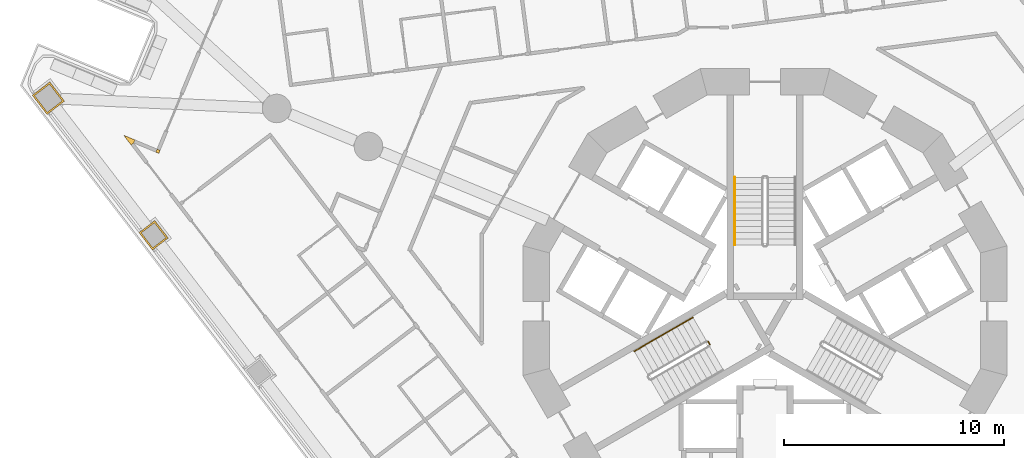
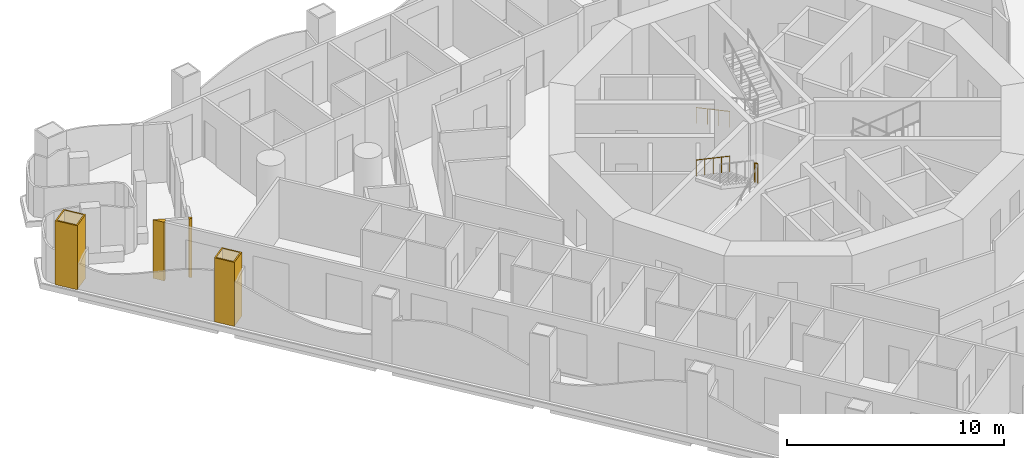
# One storey, part 15 of 19: 4 coverings, 4 railings.
"""IFC4 building model written with IfcOpenShell, lengths in metres."""

import ifcopenshell
import ifcopenshell.guid

model = None  # the IFC model being written
_history = None  # IfcOwnerHistory: only IFC2X3 demands one
_inside = {}  # id of a spatial element -> (the spatial element, [elements in it])
_under = {}  # id of a project, library or spatial element -> (it, [spatial elements below it])
_declared = {}  # id of a project -> (the project, [libraries it declares])
_typed = {}  # id of a type object -> (the type object, [elements of that type])
_made_of = {}  # id of a material, layer set ... -> (it, [elements and type objects made of it])


def new_model(schema):
    """Start an empty IFC model of exactly this schema.

    Asked for "IFC4X3", IfcOpenShell would pick the latest addendum, in which some entities
    have other attributes; the version numbers below select the first issue.
    IFC2X3 requires an IfcOwnerHistory on every rooted entity: one is made here for all.
    """
    global model, _history
    if schema == "IFC4X3":
        model = ifcopenshell.file(schema_version=(4, 3, 0, 0))
    else:
        model = ifcopenshell.file(schema=schema)
    _inside.clear()
    _under.clear()
    _declared.clear()
    _typed.clear()
    _made_of.clear()
    _history = None
    if model.schema == "IFC2X3":
        org = make("IfcOrganization", Name="unknown")
        user = make(
            "IfcPersonAndOrganization",
            ThePerson=make("IfcPerson", FamilyName="unknown"),
            TheOrganization=org,
        )
        app = make(
            "IfcApplication",
            ApplicationDeveloper=org,
            Version="unknown",
            ApplicationFullName="unknown",
            ApplicationIdentifier="unknown",
        )
        _history = make(
            "IfcOwnerHistory",
            OwningUser=user,
            OwningApplication=app,
            ChangeAction="ADDED",
            CreationDate=0,
        )
    return model


def make(cls, **values):
    """One entity of the class cls with the attributes given. An attribute that is None is left unset."""
    return model.create_entity(
        cls, **{name: value for name, value in values.items() if value is not None}
    )


def rooted(cls, **values):
    """An entity with a GlobalId (a new one), such as an element, a storey or a relation."""
    return make(cls, GlobalId=ifcopenshell.guid.new(), OwnerHistory=_history, **values)


def si_unit(unit_type, name, prefix=None):
    """IfcSIUnit, for example si_unit("LENGTHUNIT", "METRE", prefix="MILLI")."""
    return make("IfcSIUnit", UnitType=unit_type, Prefix=prefix, Name=name)


def assignment(units):
    """IfcUnitAssignment: the units of a project."""
    return None if units is None else make("IfcUnitAssignment", Units=units)


def point(xyz):
    """IfcCartesianPoint."""
    return None if xyz is None else make("IfcCartesianPoint", Coordinates=xyz)


def direction(xyz):
    """IfcDirection."""
    return None if xyz is None else make("IfcDirection", DirectionRatios=xyz)


def frame(location, z_axis=None, x_axis=None):
    """IfcAxis2Placement3D, a coordinate frame: its origin and axes. An axis left out is left unset."""
    return make(
        "IfcAxis2Placement3D",
        Location=point(location),
        Axis=direction(z_axis),
        RefDirection=direction(x_axis),
    )


def frame_2d(location, x_axis=None):
    """IfcAxis2Placement2D, a coordinate frame in the plane: its origin and x axis."""
    return make(
        "IfcAxis2Placement2D", Location=point(location), RefDirection=direction(x_axis)
    )


def origin():
    """The frame at (0, 0, 0) with its axes left unset."""
    return frame((0.0, 0.0, 0.0))


def origin_2d():
    """The frame at (0, 0) in the plane with its x axis left unset."""
    return frame_2d((0.0, 0.0))


def place(relative_to, where):
    """IfcLocalPlacement: puts the frame where relative to a parent placement (None: the world)."""
    return make(
        "IfcLocalPlacement", PlacementRelTo=relative_to, RelativePlacement=where
    )


def context(
    kind, dimensions, precision=None, world=None, true_north=None, identifier=None
):
    """IfcGeometricRepresentationContext, for example the 3D "Model" context."""
    return make(
        "IfcGeometricRepresentationContext",
        ContextIdentifier=identifier,
        ContextType=kind,
        CoordinateSpaceDimension=dimensions,
        Precision=precision,
        WorldCoordinateSystem=world,
        TrueNorth=true_north,
    )


def subcontext(parent, identifier, kind, view, scale=None):
    """IfcGeometricRepresentationSubContext, for example "Body" below "Model"."""
    return make(
        "IfcGeometricRepresentationSubContext",
        ContextIdentifier=identifier,
        ContextType=kind,
        ParentContext=parent,
        TargetScale=scale,
        TargetView=view,
    )


def project(units=None, contexts=None):
    """IfcProject with its units and contexts."""
    return rooted(
        "IfcProject",
        Name="project",
        RepresentationContexts=contexts,
        UnitsInContext=assignment(units),
    )


def spatial(cls, under=None, at=None, **own):
    """A site, building, storey or space (cls), placed at a placement, below another one or the project."""
    s = rooted(cls, ObjectPlacement=at, **own)
    if under is not None:
        _under.setdefault(under.id(), (under, []))[1].append(s)
    return s


def polyline(points):
    """IfcPolyline through the points."""
    return make("IfcPolyline", Points=[point(p) for p in points])


def profile(cls, at=None, kind="AREA", **sizes):
    """A parametric profile (cls). Its sizes go by their IFC names, for example OverallWidth=200.0."""
    return make(cls, ProfileType=kind, Position=at, **sizes)


def circle(**sizes):
    """IfcCircleProfileDef."""
    return profile("IfcCircleProfileDef", **sizes)


def outline(outer, holes=None, kind="AREA"):
    """IfcArbitraryClosedProfileDef: a profile drawn as a closed curve; with holes, ...WithVoids."""
    if holes is None:
        return make("IfcArbitraryClosedProfileDef", ProfileType=kind, OuterCurve=outer)
    return make(
        "IfcArbitraryProfileDefWithVoids",
        ProfileType=kind,
        OuterCurve=outer,
        InnerCurves=holes,
    )


def extrude(swept, where, along, depth):
    """IfcExtrudedAreaSolid: the profile swept, set in the frame where, extruded along a direction by depth."""
    return make(
        "IfcExtrudedAreaSolid",
        SweptArea=swept,
        Position=where,
        ExtrudedDirection=direction(along),
        Depth=depth,
    )


def shape(context_of_items, identifier, shape_type, items):
    """IfcShapeRepresentation: the items that make up one representation, for example the "Body"."""
    return make(
        "IfcShapeRepresentation",
        ContextOfItems=context_of_items,
        RepresentationIdentifier=identifier,
        RepresentationType=shape_type,
        Items=items,
    )


def material(Name=None, Category=None):
    """IfcMaterial."""
    return make("IfcMaterial", Name=Name, Category=Category)


def layer(
    of_material, thickness, ventilated=None, Name=None, Category=None, Priority=None
):
    """IfcMaterialLayer: one layer of a wall or slab, of a material (None: an air gap)."""
    return make(
        "IfcMaterialLayer",
        Material=of_material,
        LayerThickness=thickness,
        IsVentilated=ventilated,
        Name=Name,
        Category=Category,
        Priority=Priority,
    )


def layer_set(layers, Name=None):
    """IfcMaterialLayerSet."""
    return make("IfcMaterialLayerSet", MaterialLayers=layers, LayerSetName=Name)


def made_of(thing, what):
    """Note that an element or type object is made of a material, layer set ...; save() writes the relation."""
    if what is not None:
        _made_of.setdefault(what.id(), (what, []))[1].append(thing)
    return thing


def type_object(cls, material=None, **own):
    """A type object (cls), such as IfcWallType, which elements share."""
    return made_of(rooted(cls, **own), material)


def element(
    cls,
    number,
    at=None,
    inside=None,
    cuts=None,
    type_object=None,
    material=None,
    context=None,
    identifier="Body",
    shape_type=None,
    held_by="IfcProductDefinitionShape",
    body=None,
    shapes=None,
    **own,
):
    """One element of the class cls, such as IfcWall. Its Tag is "e" and its number.

    at: its placement. inside: the storey or other place that contains it. cuts: it is an
    opening in that element (IfcRelVoidsElement). A single representation is given by context,
    identifier, shape_type and body (its items); several are given by shapes. held_by: the class
    of the entity that holds the representations. save() writes the other relations.
    """
    e = rooted(cls, Tag="e%d" % number, ObjectPlacement=at, **own)
    if body is not None:
        shapes = [shape(context, identifier, shape_type, body)]
    if shapes is not None:
        e.Representation = make(held_by, Representations=shapes)
    if inside is not None:
        _inside.setdefault(inside.id(), (inside, []))[1].append(e)
    if cuts is not None:
        rooted(
            "IfcRelVoidsElement", RelatingBuildingElement=cuts, RelatedOpeningElement=e
        )
    if type_object is not None:
        _typed.setdefault(type_object.id(), (type_object, []))[1].append(e)
    return made_of(e, material)


def aggregate(whole, parts):
    """IfcRelAggregates: a whole, such as a stair, and the parts it consists of."""
    return rooted("IfcRelAggregates", RelatingObject=whole, RelatedObjects=parts)


def save(model, path):
    """Write the relations noted so far, then the file.

    IfcRelAggregates (storeys below a building ...), IfcRelContainedInSpatialStructure (elements
    in a storey), IfcRelDefinesByType, IfcRelAssociatesMaterial and IfcRelDeclares: one each for
    every whole, place, type object, material and project.
    """
    for whole, parts in _under.values():
        aggregate(whole, parts)
    for where, things in _inside.values():
        rooted(
            "IfcRelContainedInSpatialStructure",
            RelatedElements=things,
            RelatingStructure=where,
        )
    for kind, things in _typed.values():
        rooted("IfcRelDefinesByType", RelatedObjects=things, RelatingType=kind)
    for what, things in _made_of.values():
        rooted("IfcRelAssociatesMaterial", RelatedObjects=things, RelatingMaterial=what)
    for by, libraries in _declared.values():
        rooted("IfcRelDeclares", RelatingContext=by, RelatedDefinitions=libraries)
    model.write(path)


model = new_model("IFC4")

# Units and contexts
model_context = context("Model", 3, precision=1e-05, world=origin(), true_north=direction((0.0, 1.0)))
body_context = subcontext(model_context, "Body", "Model", "MODEL_VIEW")
ifc_project = project(units=[si_unit("LENGTHUNIT", "METRE"), si_unit("AREAUNIT", "SQUARE_METRE"), si_unit("VOLUMEUNIT", "CUBIC_METRE"), si_unit("PLANEANGLEUNIT", "RADIAN"), si_unit("MASSUNIT", "GRAM", prefix="KILO")], contexts=[model_context])

# Site, building, storey
site_placement = place(None, origin())
site = spatial("IfcSite", under=ifc_project, at=site_placement, CompositionType="ELEMENT")
building_placement = place(site_placement, origin())
building = spatial("IfcBuilding", under=site, at=building_placement, Name="Trine Commons Tower", CompositionType="ELEMENT")
storey_placement = place(building_placement, frame((0.0, 0.0, 57.60009765625)))
storey = spatial("IfcBuildingStorey", under=building, at=storey_placement, Name="L13", CompositionType="ELEMENT", Elevation=57.60009765625)

# Coverings
ifc_material_1 = material(Name="Aluminium-framed insulated wall panel", Category="aluminium")
ifc_layer_1 = layer(ifc_material_1, 0.14990234375)
ifc_layer_set_1 = layer_set([ifc_layer_1], Name="Aluminium-framed insulated wall panel")
covering_type_1 = type_object("IfcCoveringType", Name="Glazing corner post, aluminium", PredefinedType="CLADDING", material=ifc_layer_set_1)
covering_1_placement = place(storey_placement, origin())
element("IfcCovering", 1, at=covering_1_placement, inside=storey, type_object=covering_type_1, Name="Glazing corner post 2-01", PredefinedType="CLADDING", context=body_context, shape_type="SweptSolid", body=[
    extrude(outline(polyline([(51.165771484375, 70.038330078125), (51.28466796875, 70.129638671875), (51.342041015625, 70.268310546875), (50.824951171875, 70.482421875), (51.165771484375, 70.038330078125)])), origin(), (0.0, 0.0, 1.0), 3.2998046875),
])
covering_2_placement = place(storey_placement, origin())
element("IfcCovering", 2, at=covering_2_placement, inside=storey, type_object=covering_type_1, Name="Glazing corner post 2-02", PredefinedType="CLADDING", context=body_context, shape_type="SweptSolid", body=[
    extrude(outline(polyline([(52.28759765625, 69.714111328125), (52.42626953125, 69.65673828125), (52.483642578125, 69.79541015625), (52.34521484375, 69.852783203125), (52.28759765625, 69.714111328125)])), origin(), (0.0, 0.0, 1.0), 3.2998046875),
])
ifc_material_2 = material(Name="Limestone, honed", Category="masonry")
ifc_layer_2 = layer(ifc_material_2, 0.074951171875)
ifc_layer_set_2 = layer_set([ifc_layer_2], Name="Limestone, honed")
covering_type_2 = type_object("IfcCoveringType", Name="Limestone column cladding 75", PredefinedType="CLADDING", material=ifc_layer_set_2)
covering_3_placement = place(storey_placement, origin())
element("IfcCovering", 3, at=covering_3_placement, inside=storey, type_object=covering_type_2, Name="Limestone pier cladding 2-07", PredefinedType="CLADDING", context=body_context, shape_type="SweptSolid", body=[
    extrude(outline(polyline([(52.240966796875, 66.599853515625), (51.527099609375, 66.052001953125), (52.1357421875, 65.2587890625), (52.849853515625, 65.806640625), (52.240966796875, 66.599853515625)]), holes=[polyline([(52.227294921875, 66.494873046875), (51.632080078125, 66.0380859375), (52.149658203125, 65.36376953125), (52.74462890625, 65.8203125), (52.227294921875, 66.494873046875)])]), origin(), (0.0, 0.0, 1.0), 3.599853515625),
])
covering_4_placement = place(storey_placement, origin())
element("IfcCovering", 4, at=covering_4_placement, inside=storey, type_object=covering_type_2, Name="Limestone pier cladding 2-08", PredefinedType="CLADDING", context=body_context, shape_type="SweptSolid", body=[
    extrude(outline(polyline([(47.465087890625, 72.90625), (46.671630859375, 72.297607421875), (47.34130859375, 71.4248046875), (48.134765625, 72.033447265625), (47.465087890625, 72.90625)]), holes=[polyline([(47.451171875, 72.801025390625), (46.77685546875, 72.28369140625), (47.355224609375, 71.52978515625), (48.029541015625, 72.04736328125), (47.451171875, 72.801025390625)])]), origin(), (0.0, 0.0, 1.0), 3.599853515625),
])

# Railings
ifc_material_3 = material(Name="Stainless steel balustrade", Category="steel")
railing_type_1 = type_object("IfcRailingType", Name="Stair guard, steel balustrade 1100", PredefinedType="GUARDRAIL", material=ifc_material_3)
railing_1_placement = place(storey_placement, frame((77.490966796875, 60.96484375, 1.7998046875)))
element("IfcRailing", 5, at=railing_1_placement, inside=storey, type_object=railing_type_1, Name="L13 ST2A stair guard 2", PredefinedType="GUARDRAIL", context=body_context, shape_type="SweptSolid", body=[
    extrude(circle(Radius=0.02392578125, at=origin_2d()), frame((0.0, 0.0, 1.076171875), z_axis=(-0.501036270542, 0.865426285481, 0.0), x_axis=(-0.865426285481, -0.501036270542, 0.0)), (0.0, 0.0, 1.0), 0.150146484375),
    extrude(circle(Radius=0.02099609375, at=origin_2d()), origin(), (0.0, 0.0, 1.0), 1.052001953125),
    extrude(circle(Radius=0.02099609375, at=origin_2d()), frame((-0.0751953125, 0.1298828125, 0.0)), (0.0, 0.0, 1.0), 1.052001953125),
])
ifc_material_4 = material(Name="Stainless steel handrail", Category="steel")
railing_type_2 = type_object("IfcRailingType", Name="Stair handrail, steel 900", PredefinedType="HANDRAIL", material=ifc_material_4)
railing_2_placement = place(storey_placement, frame((78.625, 68.570556640625, 0.14990234375)))
element("IfcRailing", 6, at=railing_2_placement, inside=storey, type_object=railing_type_2, Name="L13 ST1A stair handrail 1", PredefinedType="HANDRAIL", context=body_context, shape_type="SweptSolid", body=[
    extrude(circle(Radius=0.02099609375, at=origin_2d()), frame((0.0, 0.0, 0.87890625), z_axis=(0.0, -0.881496589024, 0.472190389079), x_axis=(1.0, 0.0, 0.0)), (0.0, 0.0, 1.0), 3.494140625),
    extrude(circle(Radius=0.01513671875, at=origin_2d()), origin(), (0.0, 0.0, 1.0), 0.85791015625),
    extrude(circle(Radius=0.01513671875, at=origin_2d()), frame((0.0, -1.026611328125, 0.550048828125)), (0.0, 0.0, 1.0), 0.85791015625),
    extrude(circle(Radius=0.01513671875, at=origin_2d()), frame((0.0, -2.053466796875, 1.099853515625)), (0.0, 0.0, 1.0), 0.85791015625),
    extrude(circle(Radius=0.01513671875, at=origin_2d()), frame((0.0, -3.080078125, 1.64990234375)), (0.0, 0.0, 1.0), 0.85791015625),
])
for number, where, name in (
    (7, (76.72265625, 62.195556640625, 1.949951171875), "L13 ST2A stair handrail 3"),
    (8, (75.388916015625, 61.425537109375, 2.77490234375), "L13 ST2A stair handrail 4"),
):
    element("IfcRailing", number, at=place(storey_placement, frame(where)), inside=storey, type_object=railing_type_2, Name=name, PredefinedType="HANDRAIL", context=body_context, shape_type="SweptSolid", body=[
        extrude(circle(Radius=0.02099609375, at=origin_2d()), frame((0.0, 0.0, 0.87890625), z_axis=(-0.76340495495, -0.440743040072, 0.472184759798), x_axis=(0.499992328818, -0.866029832698, 0.0)), (0.0, 0.0, 1.0), 1.7470703125),
        extrude(circle(Radius=0.01513671875, at=origin_2d()), origin(), (0.0, 0.0, 1.0), 0.85791015625),
        extrude(circle(Radius=0.01513671875, at=origin_2d()), frame((-0.6669921875, -0.385009765625, 0.41259765625)), (0.0, 0.0, 1.0), 0.85791015625),
        extrude(circle(Radius=0.01513671875, at=origin_2d()), frame((-1.333740234375, -0.77001953125, 0.824951171875)), (0.0, 0.0, 1.0), 0.85791015625),
    ])

save(model, "model.ifc")
